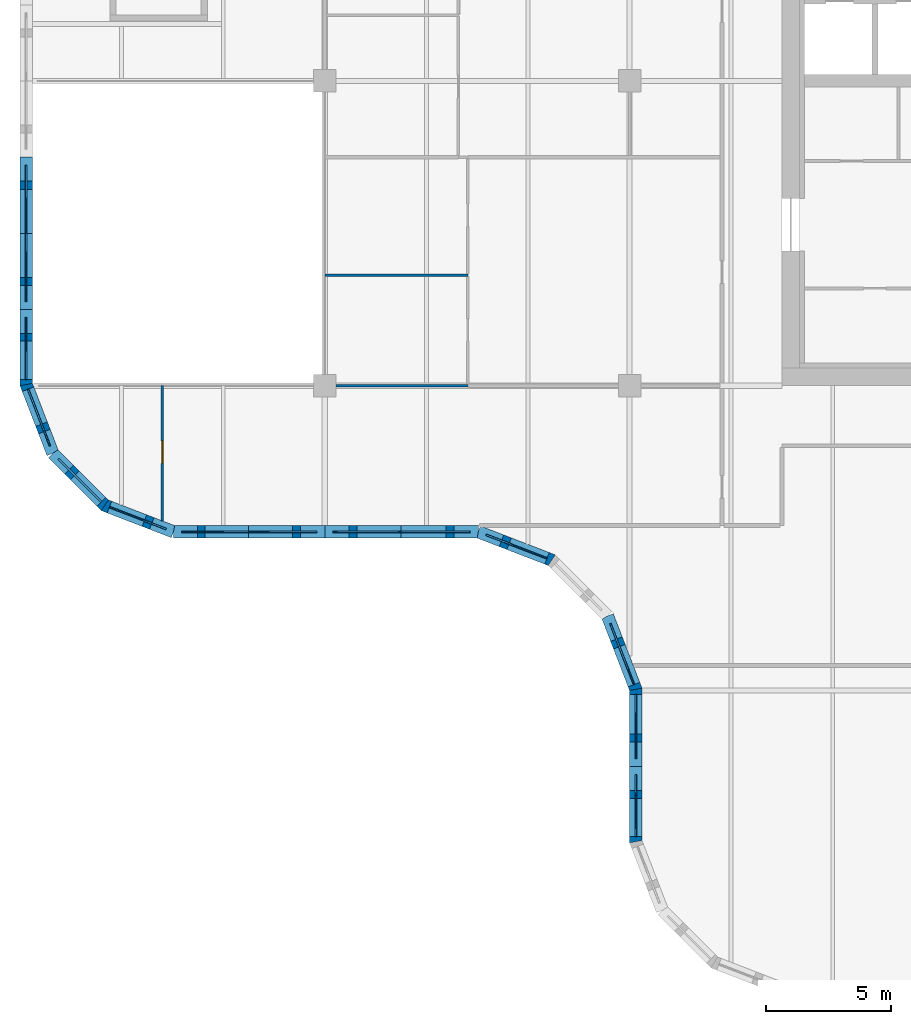
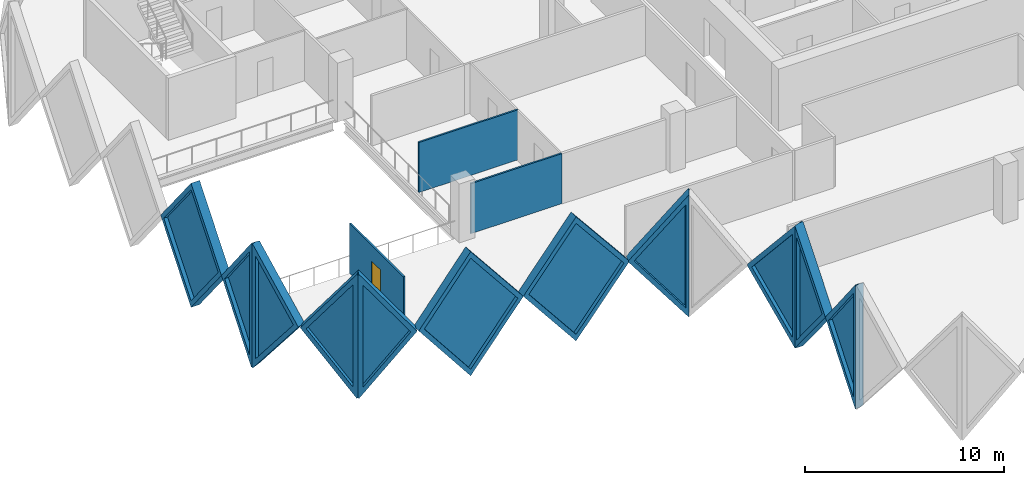
# One storey, part 3 of 12: 14 walls, 11 plates, 1 door, 12 openings.
"""IFC4 building model written with IfcOpenShell, lengths in metres."""

from ifc_helpers import new_model, si_unit, direction, frame, frame_2d, origin, place, context, subcontext, project, spatial, polyline, rectangle, outline, extrude, faceted_brep, source, transform, mapped, material, layer, layer_set, type_object, element, fill, save


model = new_model("IFC4")

# Units and contexts
model_context = context("Model", 3, precision=1e-05, world=origin(), true_north=direction((0.0, 1.0)))
body_context = subcontext(model_context, "Body", "Model", "MODEL_VIEW")
ifc_project = project(units=[si_unit("LENGTHUNIT", "METRE"), si_unit("AREAUNIT", "SQUARE_METRE"), si_unit("VOLUMEUNIT", "CUBIC_METRE"), si_unit("PLANEANGLEUNIT", "RADIAN"), si_unit("MASSUNIT", "GRAM", prefix="KILO")], contexts=[model_context])

# Site, building, storey
site_placement = place(None, origin())
site = spatial("IfcSite", under=ifc_project, at=site_placement, CompositionType="ELEMENT")
building_placement = place(site_placement, origin())
building = spatial("IfcBuilding", under=site, at=building_placement, Name="Tessera Gate Towers", CompositionType="ELEMENT")
storey_placement = place(building_placement, frame((0.0, 0.0, 124.0)))
storey = spatial("IfcBuildingStorey", under=building, at=storey_placement, Name="L30", CompositionType="ELEMENT", Elevation=124.0)

# Wall, opening, door
ifc_material_1 = material(Name="Glass", Category="glass")
ifc_layer_1 = layer(ifc_material_1, 0.10009765625)
ifc_layer_set_1 = layer_set([ifc_layer_1], Name="GLAZED PARTITION 100")
wall_type_1 = type_object("IfcWallType", Name="GLAZED PARTITION 100", PredefinedType="PARTITIONING", material=ifc_layer_set_1)
wall_1_placement = place(storey_placement, frame((5.699951171875, 18.990234375, 0.0), z_axis=(0.0, 0.0, 1.0), x_axis=(0.0, 1.0, 0.0)))
wall_1 = element("IfcWall", 1, at=wall_1_placement, inside=storey, type_object=wall_type_1, Name="T1-L30-PW-016", PredefinedType="PARTITIONING", context=body_context, shape_type="SweptSolid", body=[
    extrude(rectangle(XDim=5.40966796875, YDim=0.10009765625, at=frame_2d((2.704833984375, 0.0))), origin(), (0.0, 0.0, 1.0), 3.06689453125),
])
shared_shape_1 = source(origin(), body_context, "Body", "SweptSolid", [
    extrude(rectangle(XDim=0.89990234375, YDim=2.10009765625, at=frame_2d((0.449951171875, 1.050048828125))), frame((0.0, 0.06005859375, 0.0), z_axis=(0.0, -1.0, 0.0), x_axis=(1.0, 0.0, 0.0)), (0.0, 0.0, 1.0), 0.1201171875),
])
opening_1_placement = place(wall_1_placement, frame((2.300048828125, 0.0, 0.0)))
opening_1 = element("IfcOpeningElement", 2, at=opening_1_placement, cuts=wall_1, Name="Opening D690-A11-03", PredefinedType="OPENING", context=body_context, shape_type="MappedRepresentation", body=[
    mapped(shared_shape_1, transform((0.0, 0.0, 0.0), scale=1.0)),
])
ifc_material_2 = material(Name="Glass in aluminium frame", Category="aluminium")
door_type = type_object("IfcDoorType", Name="GLAZED DOOR 900 NOT RATED", OperationType="NOTDEFINED", PredefinedType="DOOR", material=ifc_material_2)
shared_shape_2 = source(origin(), body_context, "Body", "SweptSolid", [
    extrude(rectangle(XDim=0.89990234375, YDim=2.10009765625, at=frame_2d((0.449951171875, 1.050048828125))), frame((0.0, 0.02490234375, 0.0), z_axis=(0.0, -1.0, 0.0), x_axis=(1.0, 0.0, 0.0)), (0.0, 0.0, 1.0), 0.050048828125),
])
door_placement = place(opening_1_placement, origin())
door = element("IfcDoor", 3, at=door_placement, inside=storey, type_object=door_type, Name="T1-L30-PD-006", OperationType="SINGLE_SWING_LEFT", OverallHeight=2.10009765625, OverallWidth=0.89990234375, PredefinedType="DOOR", context=body_context, shape_type="MappedRepresentation", body=[
    mapped(shared_shape_2, transform((0.0, 0.0, 0.0), scale=1.0)),
])
fill(opening_1, door)

# Walls
wall_2_placement = place(storey_placement, frame((12.65087890625, 24.39990234375, 0.0), z_axis=(0.0, 0.0, 1.0), x_axis=(1.0, 0.0, 0.0)))
element("IfcWall", 4, at=wall_2_placement, inside=storey, type_object=wall_type_1, Name="T1-L30-PW-021", PredefinedType="PARTITIONING", context=body_context, shape_type="SweptSolid", body=[
    extrude(rectangle(XDim=5.273193359375, YDim=0.10009765625, at=frame_2d((2.63671875, 0.0))), origin(), (0.0, 0.0, 1.0), 3.06689453125),
])
ifc_material_3 = material(Name="Gypsum board on steel studs", Category="steel")
ifc_layer_2 = layer(ifc_material_3, 0.10009765625)
ifc_layer_set_2 = layer_set([ifc_layer_2], Name="PARTITION 100")
wall_type_2 = type_object("IfcWallType", Name="PARTITION 100", PredefinedType="PARTITIONING", material=ifc_layer_set_2)
wall_3_placement = place(storey_placement, frame((12.199951171875, 28.820068359375, 0.0), z_axis=(0.0, 0.0, 1.0), x_axis=(1.0, 0.0, 0.0)))
element("IfcWall", 5, at=wall_3_placement, inside=storey, type_object=wall_type_2, Name="T1-L30-PW-025", PredefinedType="PARTITIONING", context=body_context, shape_type="SweptSolid", body=[
    extrude(rectangle(XDim=5.72509765625, YDim=0.10009765625, at=frame_2d((2.862548828125, 0.0))), origin(), (0.0, 0.0, 1.0), 3.06689453125),
])

# Wall, opening, plate
ifc_material_4 = material(Name="Precast concrete C60/75 white", Category="concrete")
ifc_layer_3 = layer(ifc_material_4, 0.5)
ifc_layer_set_3 = layer_set([ifc_layer_3], Name="TS1 tessera")
wall_type_3 = type_object("IfcWallType", Name="TS1 tessera", PredefinedType="SOLIDWALL", material=ifc_layer_set_3)
shared_shape_3 = source(origin(), body_context, "Body", "Brep", [
    faceted_brep([(3.00341796875, -0.25, 0.0), (6.053466796875, -0.25, 3.800048828125), (3.00341796875, -0.25, 7.60009765625), (0.0, -0.25, 3.800048828125), (0.046630859375, 0.25, 3.85888671875), (3.00341796875, 0.25, 7.60009765625), (6.053466796875, 0.25, 3.800048828125), (3.00341796875, 0.25, 0.0), (0.046630859375, 0.25, 3.7412109375), (0.0, 0.0, 3.800048828125)], [[[0, 1, 2, 3]], [[4, 5, 6, 7, 8]], [[7, 6, 1, 0]], [[6, 5, 2, 1]], [[5, 4, 9, 3, 2]], [[8, 7, 0, 3, 9]], [[8, 9, 4]]]),
])
wall_4_placement = place(storey_placement, frame((6.146484375, 18.550048828125, -3.800048828125), z_axis=(0.0, 0.0, 1.0), x_axis=(1.0, 0.0, 0.0)))
wall_4 = element("IfcWall", 6, at=wall_4_placement, inside=storey, type_object=wall_type_3, Name="Precast tessera T1 TS1-0504", PredefinedType="SOLIDWALL", context=body_context, shape_type="MappedRepresentation", body=[
    mapped(shared_shape_3, transform((0.0, 0.0, 0.0), scale=1.0)),
])
shared_shape_4 = source(origin(), body_context, "Body", "SweptSolid", [
    extrude(outline(polyline([(3.0048828125, 0.4013671875), (5.73291015625, 3.800048828125), (3.0048828125, 7.19873046875), (0.318603515625, 3.800048828125), (3.0048828125, 0.4013671875)])), frame((0.0, 0.260009765625, 0.0), z_axis=(0.0, -1.0, 0.0), x_axis=(1.0, 0.0, 0.0)), (0.0, 0.0, 1.0), 0.52001953125),
])
opening_2_placement = place(wall_4_placement, origin())
opening_2 = element("IfcOpeningElement", 7, at=opening_2_placement, cuts=wall_4, Name="Opening T1-PL2-1024", PredefinedType="OPENING", context=body_context, shape_type="MappedRepresentation", body=[
    mapped(shared_shape_4, transform((0.0, 0.0, 0.0), scale=1.0)),
])
ifc_material_5 = material(Name="Low-e laminated glass", Category="glass")
ifc_layer_4 = layer(ifc_material_5, 0.06005859375)
ifc_layer_set_4 = layer_set([ifc_layer_4], Name="PL2 rhombic pane")
plate_type = type_object("IfcPlateType", Name="PL2 rhombic pane", PredefinedType="SHEET", material=ifc_layer_set_4)
shared_shape_5 = source(origin(), body_context, "Body", "SweptSolid", [
    extrude(outline(polyline([(3.0048828125, 0.4013671875), (5.73291015625, 3.800048828125), (3.0048828125, 7.19873046875), (0.318603515625, 3.800048828125), (3.0048828125, 0.4013671875)])), frame((0.0, 0.030029296875, 0.0), z_axis=(0.0, -1.0, 0.0), x_axis=(1.0, 0.0, 0.0)), (0.0, 0.0, 1.0), 0.06005859375),
])
plate_1_placement = place(opening_2_placement, origin())
plate_1 = element("IfcPlate", 8, at=plate_1_placement, inside=storey, type_object=plate_type, Name="Glass pane T1 PL2-1024", PredefinedType="SHEET", context=body_context, shape_type="MappedRepresentation", body=[
    mapped(shared_shape_5, transform((0.0, 0.0, 0.0), scale=1.0)),
])
fill(opening_2, plate_1)

shared_shape_6 = source(origin(), body_context, "Body", "SweptSolid", [
    extrude(outline(polyline([(3.050048828125, 0.0), (6.10009765625, 3.800048828125), (3.050048828125, 7.60009765625), (0.0, 3.800048828125), (3.050048828125, 0.0)])), frame((0.0, 0.25, 0.0), z_axis=(0.0, -1.0, 0.0), x_axis=(1.0, 0.0, 0.0)), (0.0, 0.0, 1.0), 0.5),
])
wall_5_placement = place(storey_placement, frame((0.25, 33.550048828125, -3.800048828125), z_axis=(0.0, 0.0, 1.0), x_axis=(0.0, -1.0, 0.0)))
wall_5 = element("IfcWall", 9, at=wall_5_placement, inside=storey, type_object=wall_type_3, Name="Precast tessera T1 TS1-0503", PredefinedType="SOLIDWALL", context=body_context, shape_type="MappedRepresentation", body=[
    mapped(shared_shape_6, transform((0.0, 0.0, 0.0), scale=1.0)),
])
shared_shape_7 = source(origin(), body_context, "Body", "SweptSolid", [
    extrude(outline(polyline([(3.050048828125, 0.3994140625), (5.779541015625, 3.800048828125), (3.050048828125, 7.20068359375), (0.320556640625, 3.800048828125), (3.050048828125, 0.3994140625)])), frame((0.0, 0.260009765625, 0.0), z_axis=(0.0, -1.0, 0.0), x_axis=(1.0, 0.0, 0.0)), (0.0, 0.0, 1.0), 0.52001953125),
])
opening_3_placement = place(wall_5_placement, origin())
opening_3 = element("IfcOpeningElement", 10, at=opening_3_placement, cuts=wall_5, Name="Opening T1-PL2-1019", PredefinedType="OPENING", context=body_context, shape_type="MappedRepresentation", body=[
    mapped(shared_shape_7, transform((0.0, 0.0, 0.0), scale=1.0)),
])
shared_shape_8 = source(origin(), body_context, "Body", "SweptSolid", [
    extrude(outline(polyline([(3.050048828125, 0.3994140625), (5.779541015625, 3.800048828125), (3.050048828125, 7.20068359375), (0.320556640625, 3.800048828125), (3.050048828125, 0.3994140625)])), frame((0.0, 0.030029296875, 0.0), z_axis=(0.0, -1.0, 0.0), x_axis=(1.0, 0.0, 0.0)), (0.0, 0.0, 1.0), 0.06005859375),
])
plate_2_placement = place(opening_3_placement, origin())
plate_2 = element("IfcPlate", 11, at=plate_2_placement, inside=storey, type_object=plate_type, Name="Glass pane T1 PL2-1019", PredefinedType="SHEET", context=body_context, shape_type="MappedRepresentation", body=[
    mapped(shared_shape_8, transform((0.0, 0.0, 0.0), scale=1.0)),
])
fill(opening_3, plate_2)

ifc_material_6 = material(Name="Precast concrete C60/75 white", Category="concrete")
ifc_layer_5 = layer(ifc_material_6, 0.5)
ifc_layer_set_5 = layer_set([ifc_layer_5], Name="TS3 corner tessera")
wall_type_4 = type_object("IfcWallType", Name="TS3 corner tessera", PredefinedType="SOLIDWALL", material=ifc_layer_set_5)
shared_shape_9 = source(origin(), body_context, "Body", "Brep", [
    faceted_brep([(3.00341796875, -0.25, 0.0), (3.050048828125, -0.25, 0.06005859375), (3.050048828125, -0.25, 7.5400390625), (3.00341796875, -0.25, 7.60009765625), (0.0, -0.25, 3.800048828125), (0.0, 0.25, 3.800048828125), (2.956787109375, 0.25, 7.541259765625), (2.956787109375, 0.25, 0.058837890625), (3.00341796875, 0.000244140625, 0.0), (3.00341796875, 0.000244140625, 7.60009765625)], [[[0, 1, 2, 3, 4]], [[5, 6, 7]], [[1, 0, 8]], [[9, 3, 2]], [[6, 5, 4, 3, 9]], [[5, 7, 8, 0, 4]], [[1, 8, 7, 6, 9, 2]]]),
])
wall_6_placement = place(storey_placement, frame((0.25, 27.449951171875, -3.800048828125), z_axis=(0.0, 0.0, 1.0), x_axis=(0.0, -1.0, 0.0)))
wall_6 = element("IfcWall", 12, at=wall_6_placement, inside=storey, type_object=wall_type_4, Name="Precast corner tessera T1 TS3-0685", PredefinedType="SOLIDWALL", context=body_context, shape_type="MappedRepresentation", body=[
    mapped(shared_shape_9, transform((0.0, 0.0, 0.0), scale=1.0)),
])
shared_shape_10 = source(origin(), body_context, "Body", "SweptSolid", [
    extrude(outline(polyline([(2.803466796875, 6.94384765625), (0.318603515625, 3.800048828125), (2.803466796875, 0.65625), (2.803466796875, 6.94384765625)])), frame((0.0, 0.260009765625, 0.0), z_axis=(0.0, -1.0, 0.0), x_axis=(1.0, 0.0, 0.0)), (0.0, 0.0, 1.0), 0.52001953125),
])
opening_4_placement = place(wall_6_placement, origin())
opening_4 = element("IfcOpeningElement", 13, at=opening_4_placement, cuts=wall_6, Name="Opening T1-PL2-1020", PredefinedType="OPENING", context=body_context, shape_type="MappedRepresentation", body=[
    mapped(shared_shape_10, transform((0.0, 0.0, 0.0), scale=1.0)),
])
shared_shape_11 = source(origin(), body_context, "Body", "SweptSolid", [
    extrude(outline(polyline([(2.803466796875, 6.94384765625), (0.318603515625, 3.800048828125), (2.803466796875, 0.65625), (2.803466796875, 6.94384765625)])), frame((0.0, 0.030029296875, 0.0), z_axis=(0.0, -1.0, 0.0), x_axis=(1.0, 0.0, 0.0)), (0.0, 0.0, 1.0), 0.06005859375),
])
plate_3_placement = place(opening_4_placement, origin())
plate_3 = element("IfcPlate", 14, at=plate_3_placement, inside=storey, type_object=plate_type, Name="Glass pane T1 PL2-1020", PredefinedType="SHEET", context=body_context, shape_type="MappedRepresentation", body=[
    mapped(shared_shape_11, transform((0.0, 0.0, 0.0), scale=1.0)),
])
fill(opening_4, plate_3)

wall_7_placement = place(storey_placement, frame((24.64990234375, 9.14990234375, -3.800048828125), z_axis=(0.0, 0.0, 1.0), x_axis=(0.0, -1.0, 0.0)))
wall_7 = element("IfcWall", 15, at=wall_7_placement, inside=storey, type_object=wall_type_4, Name="Precast corner tessera T1 TS3-0693", PredefinedType="SOLIDWALL", context=body_context, shape_type="MappedRepresentation", body=[
    mapped(shared_shape_9, transform((0.0, 0.0, 0.0), scale=1.0)),
])
opening_5_placement = place(wall_7_placement, origin())
opening_5 = element("IfcOpeningElement", 16, at=opening_5_placement, cuts=wall_7, Name="Opening T1-PL2-1030", PredefinedType="OPENING", context=body_context, shape_type="MappedRepresentation", body=[
    mapped(shared_shape_10, transform((0.0, 0.0, 0.0), scale=1.0)),
])
plate_4_placement = place(opening_5_placement, origin())
plate_4 = element("IfcPlate", 17, at=plate_4_placement, inside=storey, type_object=plate_type, Name="Glass pane T1 PL2-1030", PredefinedType="SHEET", context=body_context, shape_type="MappedRepresentation", body=[
    mapped(shared_shape_11, transform((0.0, 0.0, 0.0), scale=1.0)),
])
fill(opening_5, plate_4)

shared_shape_12 = source(origin(), body_context, "Body", "Brep", [
    faceted_brep([(0.046630859375, -0.25, 0.0), (2.9970703125, -0.25, 3.800048828125), (0.046630859375, -0.25, 7.60009765625), (0.0, -0.25, 7.541259765625), (0.0, -0.25, 0.058837890625), (0.09326171875, 0.25, 7.5400390625), (2.9443359375, 0.25, 3.8681640625), (2.9443359375, 0.25, 3.73193359375), (0.09326171875, 0.25, 0.06005859375), (2.9970703125, 0.00048828125, 3.800048828125), (0.046630859375, 0.0, 0.0), (0.046630859375, 0.0, 7.60009765625)], [[[0, 1, 2, 3, 4]], [[5, 6, 7, 8]], [[8, 7, 9, 1, 0, 10]], [[6, 5, 11, 2, 1, 9]], [[3, 2, 11]], [[10, 0, 4]], [[8, 10, 4, 3, 11, 5]], [[9, 7, 6]]]),
])
wall_8_placement = place(storey_placement, frame((0.233154296875, 24.489990234375, -3.800048828125), z_axis=(0.0, 0.0, 1.0), x_axis=(0.359901446078, -0.932990326376, 0.0)))
wall_8 = element("IfcWall", 18, at=wall_8_placement, inside=storey, type_object=wall_type_4, Name="Precast corner tessera T1 TS3-0686", PredefinedType="SOLIDWALL", context=body_context, shape_type="MappedRepresentation", body=[
    mapped(shared_shape_12, transform((0.0, 0.0, 0.0), scale=1.0)),
])
shared_shape_13 = source(origin(), body_context, "Body", "SweptSolid", [
    extrude(outline(polyline([(0.24658203125, 0.665283203125), (2.6806640625, 3.800048828125), (0.24658203125, 6.934814453125), (0.24658203125, 0.665283203125)])), frame((0.0, 0.260009765625, 0.0), z_axis=(0.0, -1.0, 0.0), x_axis=(1.0, 0.0, 0.0)), (0.0, 0.0, 1.0), 0.52001953125),
])
opening_6_placement = place(wall_8_placement, origin())
opening_6 = element("IfcOpeningElement", 19, at=opening_6_placement, cuts=wall_8, Name="Opening T1-PL2-1021", PredefinedType="OPENING", context=body_context, shape_type="MappedRepresentation", body=[
    mapped(shared_shape_13, transform((0.0, 0.0, 0.0), scale=1.0)),
])
shared_shape_14 = source(origin(), body_context, "Body", "SweptSolid", [
    extrude(outline(polyline([(0.24658203125, 0.665283203125), (2.6806640625, 3.800048828125), (0.24658203125, 6.934814453125), (0.24658203125, 0.665283203125)])), frame((0.0, 0.030029296875, 0.0), z_axis=(0.0, -1.0, 0.0), x_axis=(1.0, 0.0, 0.0)), (0.0, 0.0, 1.0), 0.06005859375),
])
plate_5_placement = place(opening_6_placement, origin())
plate_5 = element("IfcPlate", 20, at=plate_5_placement, inside=storey, type_object=plate_type, Name="Glass pane T1 PL2-1021", PredefinedType="SHEET", context=body_context, shape_type="MappedRepresentation", body=[
    mapped(shared_shape_14, transform((0.0, 0.0, 0.0), scale=1.0)),
])
fill(opening_6, plate_5)

shared_shape_15 = source(origin(), body_context, "Body", "Brep", [
    faceted_brep([(0.052978515625, -0.25, 0.0), (3.00341796875, -0.25, 3.800048828125), (0.052978515625, -0.25, 7.60009765625), (0.0, -0.25, 7.53173828125), (0.0, -0.25, 0.068359375), (0.10595703125, 0.25, 7.531982421875), (2.95703125, 0.25, 3.85986328125), (2.95703125, 0.25, 3.740234375), (0.10595703125, 0.25, 0.068115234375), (3.00341796875, 0.00048828125, 3.800048828125), (0.052978515625, 0.0, 0.0), (0.052978515625, 0.0, 7.60009765625)], [[[0, 1, 2, 3, 4]], [[5, 6, 7, 8]], [[8, 7, 9, 1, 0, 10]], [[6, 5, 11, 2, 1, 9]], [[3, 2, 11]], [[10, 0, 4]], [[8, 10, 4, 3, 11, 5]], [[9, 7, 6]]]),
])
wall_9_placement = place(storey_placement, frame((3.34423828125, 19.630859375, -3.800048828125), z_axis=(0.0, 0.0, 1.0), x_axis=(0.933007896601, -0.359855894603, 0.0)))
wall_9 = element("IfcWall", 21, at=wall_9_placement, inside=storey, type_object=wall_type_4, Name="Precast corner tessera T1 TS3-0688", PredefinedType="SOLIDWALL", context=body_context, shape_type="MappedRepresentation", body=[
    mapped(shared_shape_15, transform((0.0, 0.0, 0.0), scale=1.0)),
])
shared_shape_16 = source(origin(), body_context, "Body", "SweptSolid", [
    extrude(outline(polyline([(0.2529296875, 0.665283203125), (2.68701171875, 3.800048828125), (0.2529296875, 6.934814453125), (0.2529296875, 0.665283203125)])), frame((0.0, 0.260009765625, 0.0), z_axis=(0.0, -1.0, 0.0), x_axis=(1.0, 0.0, 0.0)), (0.0, 0.0, 1.0), 0.52001953125),
])
opening_7_placement = place(wall_9_placement, origin())
opening_7 = element("IfcOpeningElement", 22, at=opening_7_placement, cuts=wall_9, Name="Opening T1-PL2-1023", PredefinedType="OPENING", context=body_context, shape_type="MappedRepresentation", body=[
    mapped(shared_shape_16, transform((0.0, 0.0, 0.0), scale=1.0)),
])
shared_shape_17 = source(origin(), body_context, "Body", "SweptSolid", [
    extrude(outline(polyline([(0.2529296875, 0.665283203125), (2.68701171875, 3.800048828125), (0.2529296875, 6.934814453125), (0.2529296875, 0.665283203125)])), frame((0.0, 0.030029296875, 0.0), z_axis=(0.0, -1.0, 0.0), x_axis=(1.0, 0.0, 0.0)), (0.0, 0.0, 1.0), 0.06005859375),
])
plate_6_placement = place(opening_7_placement, origin())
plate_6 = element("IfcPlate", 23, at=plate_6_placement, inside=storey, type_object=plate_type, Name="Glass pane T1 PL2-1023", PredefinedType="SHEET", context=body_context, shape_type="MappedRepresentation", body=[
    mapped(shared_shape_17, transform((0.0, 0.0, 0.0), scale=1.0)),
])
fill(opening_7, plate_6)

shared_shape_18 = source(origin(), body_context, "Body", "Brep", [
    faceted_brep([(2.944091796875, -0.25, 0.0), (2.9970703125, -0.25, 0.068115234375), (2.9970703125, -0.25, 7.531982421875), (2.944091796875, -0.25, 7.60009765625), (0.0, -0.25, 3.800048828125), (0.052978515625, 0.25, 3.868408203125), (2.89111328125, 0.25, 7.531982421875), (2.89111328125, 0.25, 0.068115234375), (0.052978515625, 0.25, 3.731689453125), (2.944091796875, 0.000244140625, 0.0), (2.944091796875, 0.000244140625, 7.60009765625), (0.0, 0.0, 3.800048828125)], [[[0, 1, 2, 3, 4]], [[5, 6, 7, 8]], [[1, 0, 9]], [[10, 3, 2]], [[6, 5, 11, 4, 3, 10]], [[8, 7, 9, 0, 4, 11]], [[8, 11, 5]], [[1, 9, 7, 6, 10, 2]]]),
])
wall_10_placement = place(storey_placement, frame((1.31201171875, 21.69384765625, -3.800048828125), z_axis=(0.0, 0.0, 1.0), x_axis=(0.707066050402, -0.707147509625, 0.0)))
wall_10 = element("IfcWall", 24, at=wall_10_placement, inside=storey, type_object=wall_type_4, Name="Precast corner tessera T1 TS3-0687", PredefinedType="SOLIDWALL", context=body_context, shape_type="MappedRepresentation", body=[
    mapped(shared_shape_18, transform((0.0, 0.0, 0.0), scale=1.0)),
])
shared_shape_19 = source(origin(), body_context, "Body", "SweptSolid", [
    extrude(outline(polyline([(2.744140625, 6.933837890625), (0.316162109375, 3.800048828125), (2.744140625, 0.666259765625), (2.744140625, 6.933837890625)])), frame((0.0, 0.260009765625, 0.0), z_axis=(0.0, -1.0, 0.0), x_axis=(1.0, 0.0, 0.0)), (0.0, 0.0, 1.0), 0.52001953125),
])
opening_8_placement = place(wall_10_placement, origin())
opening_8 = element("IfcOpeningElement", 25, at=opening_8_placement, cuts=wall_10, Name="Opening T1-PL2-1022", PredefinedType="OPENING", context=body_context, shape_type="MappedRepresentation", body=[
    mapped(shared_shape_19, transform((0.0, 0.0, 0.0), scale=1.0)),
])
shared_shape_20 = source(origin(), body_context, "Body", "SweptSolid", [
    extrude(outline(polyline([(2.744140625, 6.933837890625), (0.316162109375, 3.800048828125), (2.744140625, 0.666259765625), (2.744140625, 6.933837890625)])), frame((0.0, 0.030029296875, 0.0), z_axis=(0.0, -1.0, 0.0), x_axis=(1.0, 0.0, 0.0)), (0.0, 0.0, 1.0), 0.06005859375),
])
plate_7_placement = place(opening_8_placement, origin())
plate_7 = element("IfcPlate", 26, at=plate_7_placement, inside=storey, type_object=plate_type, Name="Glass pane T1 PL2-1022", PredefinedType="SHEET", context=body_context, shape_type="MappedRepresentation", body=[
    mapped(shared_shape_20, transform((0.0, 0.0, 0.0), scale=1.0)),
])
fill(opening_8, plate_7)

shared_shape_21 = source(origin(), body_context, "Body", "Brep", [
    faceted_brep([(3.050048828125, -0.25, 0.0), (6.10009765625, -0.25, 3.742919921875), (6.10009765625, -0.25, 3.857177734375), (3.050048828125, -0.25, 7.60009765625), (0.0, -0.25, 3.800048828125), (0.0, 0.25, 3.800048828125), (3.050048828125, 0.25, 7.60009765625), (6.146484375, 0.25, 3.800048828125), (3.050048828125, 0.25, 0.0), (6.146484375, -0.000244140625, 3.800048828125)], [[[0, 1, 2, 3, 4]], [[5, 6, 7, 8]], [[8, 7, 9, 1, 0]], [[7, 6, 3, 2, 9]], [[6, 5, 4, 3]], [[5, 8, 0, 4]], [[1, 9, 2]]]),
])
wall_11_placement = place(storey_placement, frame((12.199951171875, 18.550048828125, -3.800048828125), z_axis=(0.0, 0.0, 1.0), x_axis=(1.0, 0.0, 0.0)))
wall_11 = element("IfcWall", 27, at=wall_11_placement, inside=storey, type_object=wall_type_3, Name="Precast tessera T1 TS1-0505", PredefinedType="SOLIDWALL", context=body_context, shape_type="MappedRepresentation", body=[
    mapped(shared_shape_21, transform((0.0, 0.0, 0.0), scale=1.0)),
])
shared_shape_22 = source(origin(), body_context, "Body", "SweptSolid", [
    extrude(outline(polyline([(3.051513671875, 0.397705078125), (5.823974609375, 3.800048828125), (3.051513671875, 7.202392578125), (0.320556640625, 3.800048828125), (3.051513671875, 0.397705078125)])), frame((0.0, 0.260009765625, 0.0), z_axis=(0.0, -1.0, 0.0), x_axis=(1.0, 0.0, 0.0)), (0.0, 0.0, 1.0), 0.52001953125),
])
opening_9_placement = place(wall_11_placement, origin())
opening_9 = element("IfcOpeningElement", 28, at=opening_9_placement, cuts=wall_11, Name="Opening T1-PL2-1025", PredefinedType="OPENING", context=body_context, shape_type="MappedRepresentation", body=[
    mapped(shared_shape_22, transform((0.0, 0.0, 0.0), scale=1.0)),
])
shared_shape_23 = source(origin(), body_context, "Body", "SweptSolid", [
    extrude(outline(polyline([(3.051513671875, 0.397705078125), (5.823974609375, 3.800048828125), (3.051513671875, 7.202392578125), (0.320556640625, 3.800048828125), (3.051513671875, 0.397705078125)])), frame((0.0, 0.030029296875, 0.0), z_axis=(0.0, -1.0, 0.0), x_axis=(1.0, 0.0, 0.0)), (0.0, 0.0, 1.0), 0.06005859375),
])
plate_8_placement = place(opening_9_placement, origin())
plate_8 = element("IfcPlate", 29, at=plate_8_placement, inside=storey, type_object=plate_type, Name="Glass pane T1 PL2-1025", PredefinedType="SHEET", context=body_context, shape_type="MappedRepresentation", body=[
    mapped(shared_shape_23, transform((0.0, 0.0, 0.0), scale=1.0)),
])
fill(opening_9, plate_8)

shared_shape_24 = source(origin(), body_context, "Body", "Brep", [
    faceted_brep([(3.096435546875, -0.25, 7.536376953125), (0.046630859375, -0.25, 3.856201171875), (0.046630859375, -0.25, 3.743896484375), (3.096435546875, -0.25, 0.063720703125), (0.0, 0.25, 3.800048828125), (3.1494140625, 0.25, 7.60009765625), (3.202392578125, 0.25, 7.536376953125), (3.202392578125, 0.25, 0.063720703125), (3.1494140625, 0.25, 0.0), (3.1494140625, -0.000244140625, 0.0), (3.1494140625, -0.000244140625, 7.60009765625), (0.0, 0.0, 3.800048828125)], [[[0, 1, 2, 3]], [[4, 5, 6, 7, 8]], [[8, 7, 9]], [[6, 5, 10]], [[5, 4, 11, 1, 0, 10]], [[4, 8, 9, 3, 2, 11]], [[11, 2, 1]], [[3, 9, 7, 6, 10, 0]]]),
])
wall_12_placement = place(storey_placement, frame((18.346435546875, 18.550048828125, -3.800048828125), z_axis=(0.0, 0.0, 1.0), x_axis=(0.932985567668, -0.359913782069, 0.0)))
wall_12 = element("IfcWall", 30, at=wall_12_placement, inside=storey, type_object=wall_type_4, Name="Precast corner tessera T1 TS3-0689", PredefinedType="SOLIDWALL", context=body_context, shape_type="MappedRepresentation", body=[
    mapped(shared_shape_24, transform((0.0, 0.0, 0.0), scale=1.0)),
])
shared_shape_25 = source(origin(), body_context, "Body", "SweptSolid", [
    extrude(outline(polyline([(2.949462890625, 6.967041015625), (0.32470703125, 3.800048828125), (2.949462890625, 0.633056640625), (2.949462890625, 6.967041015625)])), frame((0.0, 0.260009765625, 0.0), z_axis=(0.0, -1.0, 0.0), x_axis=(1.0, 0.0, 0.0)), (0.0, 0.0, 1.0), 0.52001953125),
])
opening_10_placement = place(wall_12_placement, origin())
opening_10 = element("IfcOpeningElement", 31, at=opening_10_placement, cuts=wall_12, Name="Opening T1-PL2-1026", PredefinedType="OPENING", context=body_context, shape_type="MappedRepresentation", body=[
    mapped(shared_shape_25, transform((0.0, 0.0, 0.0), scale=1.0)),
])
shared_shape_26 = source(origin(), body_context, "Body", "SweptSolid", [
    extrude(outline(polyline([(2.949462890625, 6.967041015625), (0.32470703125, 3.800048828125), (2.949462890625, 0.633056640625), (2.949462890625, 6.967041015625)])), frame((0.0, 0.030029296875, 0.0), z_axis=(0.0, -1.0, 0.0), x_axis=(1.0, 0.0, 0.0)), (0.0, 0.0, 1.0), 0.06005859375),
])
plate_9_placement = place(opening_10_placement, origin())
plate_9 = element("IfcPlate", 32, at=plate_9_placement, inside=storey, type_object=plate_type, Name="Glass pane T1 PL2-1026", PredefinedType="SHEET", context=body_context, shape_type="MappedRepresentation", body=[
    mapped(shared_shape_26, transform((0.0, 0.0, 0.0), scale=1.0)),
])
fill(opening_10, plate_9)

shared_shape_27 = source(origin(), body_context, "Body", "Brep", [
    faceted_brep([(3.10302734375, -0.25, 7.5439453125), (0.052978515625, -0.25, 3.864013671875), (0.052978515625, -0.25, 3.736083984375), (3.10302734375, -0.25, 0.05615234375), (0.0, 0.25, 3.800048828125), (3.1494140625, 0.25, 7.60009765625), (3.196044921875, 0.25, 7.54296875), (3.196044921875, 0.25, 0.05712890625), (3.1494140625, 0.25, 0.0), (3.1494140625, -0.000244140625, 0.0), (3.1494140625, -0.000244140625, 7.60009765625), (0.0, 0.0, 3.800048828125)], [[[0, 1, 2, 3]], [[4, 5, 6, 7, 8]], [[8, 7, 9]], [[6, 5, 10]], [[5, 4, 11, 1, 0, 10]], [[4, 8, 9, 3, 2, 11]], [[11, 2, 1]], [[3, 9, 7, 6, 10, 0]]]),
])
wall_13_placement = place(storey_placement, frame((23.5166015625, 15.18505859375, -3.800048828125), z_axis=(0.0, 0.0, 1.0), x_axis=(0.359864468756, -0.933004589553, 0.0)))
wall_13 = element("IfcWall", 33, at=wall_13_placement, inside=storey, type_object=wall_type_4, Name="Precast corner tessera T1 TS3-0691", PredefinedType="SOLIDWALL", context=body_context, shape_type="MappedRepresentation", body=[
    mapped(shared_shape_27, transform((0.0, 0.0, 0.0), scale=1.0)),
])
opening_11_placement = place(wall_13_placement, origin())
opening_11 = element("IfcOpeningElement", 34, at=opening_11_placement, cuts=wall_13, Name="Opening T1-PL2-1028", PredefinedType="OPENING", context=body_context, shape_type="MappedRepresentation", body=[
    mapped(shared_shape_25, transform((0.0, 0.0, 0.0), scale=1.0)),
])
plate_10_placement = place(opening_11_placement, origin())
plate_10 = element("IfcPlate", 35, at=plate_10_placement, inside=storey, type_object=plate_type, Name="Glass pane T1 PL2-1028", PredefinedType="SHEET", context=body_context, shape_type="MappedRepresentation", body=[
    mapped(shared_shape_26, transform((0.0, 0.0, 0.0), scale=1.0)),
])
fill(opening_11, plate_10)

shared_shape_28 = source(origin(), body_context, "Body", "Brep", [
    faceted_brep([(0.09326171875, -0.25, 0.05712890625), (3.14306640625, -0.25, 3.800048828125), (0.09326171875, -0.25, 7.54296875), (0.0, 0.25, 7.5439453125), (0.046630859375, 0.25, 7.60009765625), (3.14306640625, 0.25, 3.800048828125), (0.046630859375, 0.25, 0.0), (0.0, 0.25, 0.05615234375), (0.046630859375, 0.0, 0.0), (0.046630859375, 0.0, 7.60009765625)], [[[0, 1, 2]], [[3, 4, 5, 6, 7]], [[6, 5, 1, 0, 8]], [[5, 4, 9, 2, 1]], [[4, 3, 9]], [[7, 6, 8]], [[7, 8, 0, 2, 9, 3]]]),
])
wall_14_placement = place(storey_placement, frame((24.64990234375, 12.293212890625, -3.800048828125), z_axis=(0.0, 0.0, 1.0), x_axis=(0.0, -1.0, 0.0)))
wall_14 = element("IfcWall", 36, at=wall_14_placement, inside=storey, type_object=wall_type_4, Name="Precast corner tessera T1 TS3-0692", PredefinedType="SOLIDWALL", context=body_context, shape_type="MappedRepresentation", body=[
    mapped(shared_shape_28, transform((0.0, 0.0, 0.0), scale=1.0)),
])
shared_shape_29 = source(origin(), body_context, "Body", "SweptSolid", [
    extrude(outline(polyline([(0.24658203125, 0.641357421875), (2.82080078125, 3.800048828125), (0.24658203125, 6.958740234375), (0.24658203125, 0.641357421875)])), frame((0.0, 0.260009765625, 0.0), z_axis=(0.0, -1.0, 0.0), x_axis=(1.0, 0.0, 0.0)), (0.0, 0.0, 1.0), 0.52001953125),
])
opening_12_placement = place(wall_14_placement, origin())
opening_12 = element("IfcOpeningElement", 37, at=opening_12_placement, cuts=wall_14, Name="Opening T1-PL2-1029", PredefinedType="OPENING", context=body_context, shape_type="MappedRepresentation", body=[
    mapped(shared_shape_29, transform((0.0, 0.0, 0.0), scale=1.0)),
])
shared_shape_30 = source(origin(), body_context, "Body", "SweptSolid", [
    extrude(outline(polyline([(0.24658203125, 0.641357421875), (2.82080078125, 3.800048828125), (0.24658203125, 6.958740234375), (0.24658203125, 0.641357421875)])), frame((0.0, 0.030029296875, 0.0), z_axis=(0.0, -1.0, 0.0), x_axis=(1.0, 0.0, 0.0)), (0.0, 0.0, 1.0), 0.06005859375),
])
plate_11_placement = place(opening_12_placement, origin())
plate_11 = element("IfcPlate", 38, at=plate_11_placement, inside=storey, type_object=plate_type, Name="Glass pane T1 PL2-1029", PredefinedType="SHEET", context=body_context, shape_type="MappedRepresentation", body=[
    mapped(shared_shape_30, transform((0.0, 0.0, 0.0), scale=1.0)),
])
fill(opening_12, plate_11)

save(model, "model.ifc")
